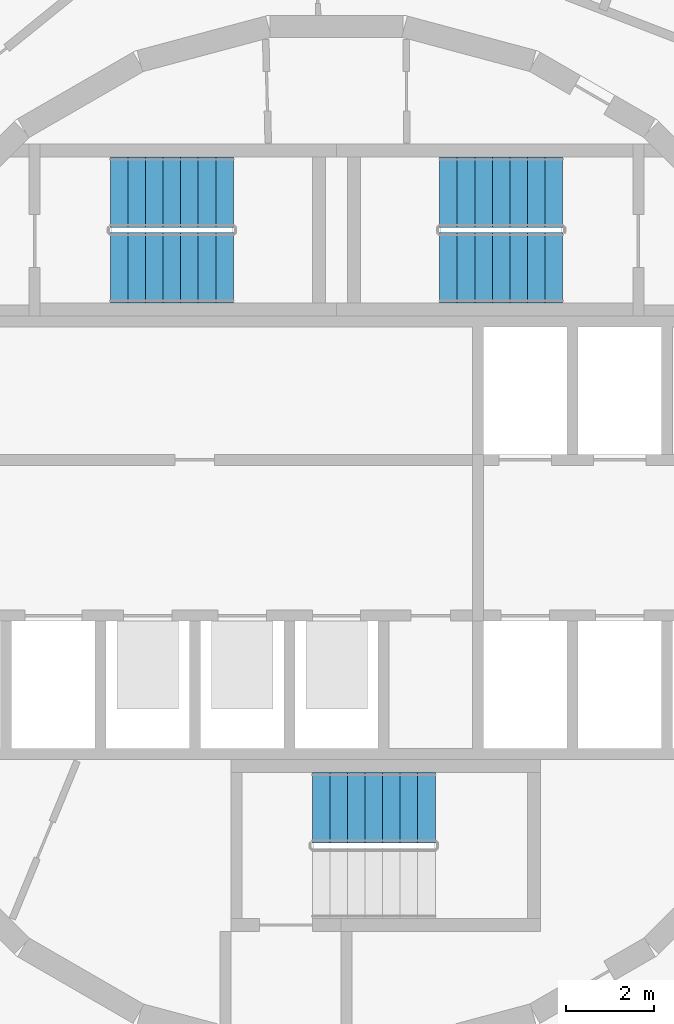
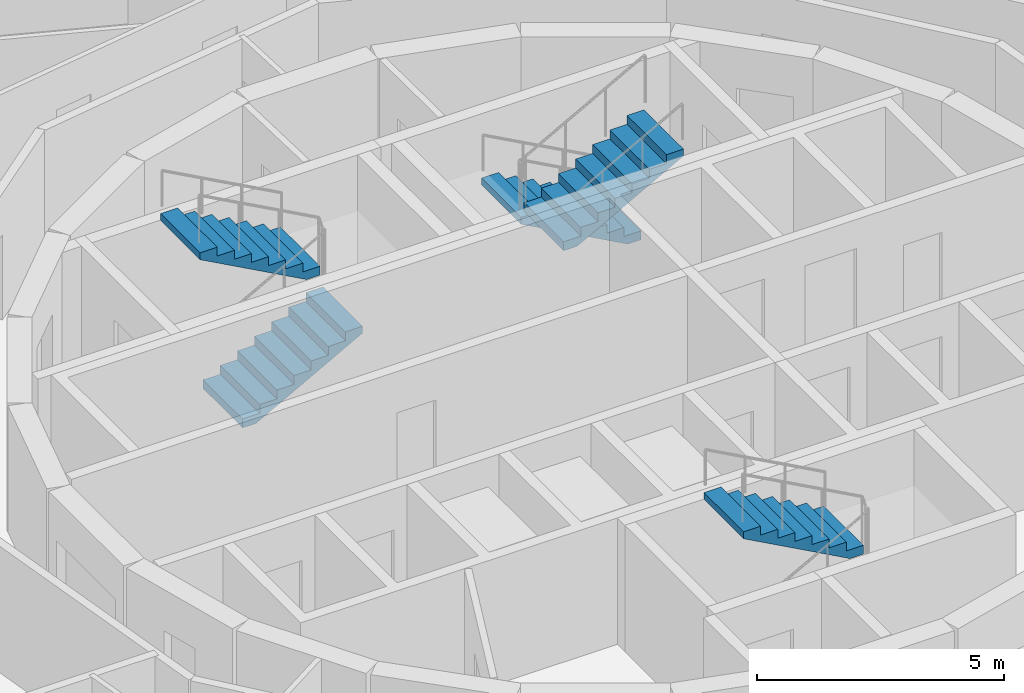
# One storey, part 17 of 19: 5 stair flights, 3 elements without a shape of their own.
"""IFC4 building model written with IfcOpenShell, lengths in metres."""

from ifc_helpers import new_model, si_unit, direction, frame, origin, place, context, subcontext, project, spatial, polyline, outline, extrude, material, type_object, element, aggregate, save


model = new_model("IFC4")

# Units and contexts
model_context = context("Model", 3, precision=1e-05, world=origin(), true_north=direction((0.0, 1.0)))
body_context = subcontext(model_context, "Body", "Model", "MODEL_VIEW")
ifc_project = project(units=[si_unit("LENGTHUNIT", "METRE"), si_unit("AREAUNIT", "SQUARE_METRE"), si_unit("VOLUMEUNIT", "CUBIC_METRE"), si_unit("PLANEANGLEUNIT", "RADIAN"), si_unit("MASSUNIT", "GRAM", prefix="KILO")], contexts=[model_context])

# Site, building, storey
site_placement = place(None, origin())
site = spatial("IfcSite", under=ifc_project, at=site_placement, CompositionType="ELEMENT")
building_placement = place(site_placement, origin())
building = spatial("IfcBuilding", under=site, at=building_placement, Name="Spindle Arch Residences", CompositionType="ELEMENT")
storey_placement = place(building_placement, frame((0.0, 0.0, 263.39990234375)))
storey = spatial("IfcBuildingStorey", under=building, at=storey_placement, Name="L67", CompositionType="ELEMENT", Elevation=263.39990234375)

# Stair, stair flights
ifc_material_1 = material(Name="Concrete C50/60", Category="concrete")
stair_type = type_object("IfcStairType", Name="Exit stair 16 risers", PredefinedType="HALF_TURN_STAIR", material=ifc_material_1)
stair_1_placement = place(storey_placement, origin())
stair_1 = element("IfcStair", 1, at=stair_1_placement, inside=storey, type_object=stair_type, Name="L67 Exit stair ST1", PredefinedType="HALF_TURN_STAIR")
ifc_material_2 = material(Name="Concrete C50/60", Category="concrete")
stair_flight_type = type_object("IfcStairFlightType", Name="Exit stair flight", PredefinedType="STRAIGHT", material=ifc_material_2)
stair_flight_1_placement = place(storey_placement, frame((5.14990234375, 7.8701171875, 0.0), z_axis=(0.0, 0.0, 1.0), x_axis=(-1.0, 0.0, 0.0)))
stair_flight_1 = element("IfcStairFlight", 2, at=stair_flight_1_placement, type_object=stair_flight_type, Name="ST1 flight 1", NumberOfRisers=8, NumberOfTreads=7, PredefinedType="STRAIGHT", RiserHeight=0.21875, TreadLength=0.4, context=body_context, shape_type="SweptSolid", body=[
    extrude(outline(polyline([(0.0, 0.0), (0.0, 0.21875), (0.39990234375, 0.21875), (0.39990234375, 0.4375), (0.800048828125, 0.4375), (0.800048828125, 0.65625), (1.199951171875, 0.65625), (1.199951171875, 0.875), (1.60009765625, 0.875), (1.60009765625, 1.09375), (2.0, 1.09375), (2.0, 1.3125), (2.39990234375, 1.3125), (2.39990234375, 1.53125), (2.800048828125, 1.53125), (2.800048828125, 1.75), (2.800048828125, 1.3603515625), (0.3125, 0.0), (0.0, 0.0)])), frame((0.0, 0.800048828125, 0.0), z_axis=(0.0, -1.0, 0.0), x_axis=(1.0, 0.0, 0.0)), (0.0, 0.0, 1.0), 1.60009765625),
])
stair_flight_2_placement = place(storey_placement, frame((2.35009765625, 6.14990234375, 1.75), z_axis=(0.0, 0.0, 1.0), x_axis=(1.0, 0.0, 0.0)))
stair_flight_2 = element("IfcStairFlight", 3, at=stair_flight_2_placement, type_object=stair_flight_type, Name="ST1 flight 2", NumberOfRisers=8, NumberOfTreads=7, PredefinedType="STRAIGHT", RiserHeight=0.21875, TreadLength=0.4, context=body_context, shape_type="SweptSolid", body=[
    extrude(outline(polyline([(0.0, 0.0), (0.0, 0.21875), (0.39990234375, 0.21875), (0.39990234375, 0.4375), (0.800048828125, 0.4375), (0.800048828125, 0.65625), (1.199951171875, 0.65625), (1.199951171875, 0.875), (1.60009765625, 0.875), (1.60009765625, 1.09375), (2.0, 1.09375), (2.0, 1.3125), (2.39990234375, 1.3125), (2.39990234375, 1.53125), (2.800048828125, 1.53125), (2.800048828125, 1.75), (2.800048828125, 1.3603515625), (0.3125, 0.0), (0.0, 0.0)])), frame((0.0, 0.800048828125, 0.0), z_axis=(0.0, -1.0, 0.0), x_axis=(1.0, 0.0, 0.0)), (0.0, 0.0, 1.0), 1.60009765625),
])
aggregate(stair_1, [stair_flight_1, stair_flight_2])

stair_2_placement = place(storey_placement, origin())
stair_2 = element("IfcStair", 4, at=stair_2_placement, inside=storey, type_object=stair_type, Name="L67 Exit stair ST2", PredefinedType="HALF_TURN_STAIR")
stair_flight_3_placement = place(storey_placement, frame((-5.14990234375, 6.14990234375, 0.0), z_axis=(0.0, 0.0, 1.0), x_axis=(1.0, 0.0, 0.0)))
stair_flight_3 = element("IfcStairFlight", 5, at=stair_flight_3_placement, type_object=stair_flight_type, Name="ST2 flight 1", NumberOfRisers=8, NumberOfTreads=7, PredefinedType="STRAIGHT", RiserHeight=0.21875, TreadLength=0.4, context=body_context, shape_type="SweptSolid", body=[
    extrude(outline(polyline([(0.0, 0.0), (0.0, 0.21875), (0.39990234375, 0.21875), (0.39990234375, 0.4375), (0.800048828125, 0.4375), (0.800048828125, 0.65625), (1.199951171875, 0.65625), (1.199951171875, 0.875), (1.60009765625, 0.875), (1.60009765625, 1.09375), (2.0, 1.09375), (2.0, 1.3125), (2.39990234375, 1.3125), (2.39990234375, 1.53125), (2.800048828125, 1.53125), (2.800048828125, 1.75), (2.800048828125, 1.3603515625), (0.3125, 0.0), (0.0, 0.0)])), frame((0.0, 0.800048828125, 0.0), z_axis=(0.0, -1.0, 0.0), x_axis=(1.0, 0.0, 0.0)), (0.0, 0.0, 1.0), 1.60009765625),
])
stair_flight_4_placement = place(storey_placement, frame((-2.35009765625, 7.8701171875, 1.75), z_axis=(0.0, 0.0, 1.0), x_axis=(-1.0, 0.0, 0.0)))
stair_flight_4 = element("IfcStairFlight", 6, at=stair_flight_4_placement, type_object=stair_flight_type, Name="ST2 flight 2", NumberOfRisers=8, NumberOfTreads=7, PredefinedType="STRAIGHT", RiserHeight=0.21875, TreadLength=0.4, context=body_context, shape_type="SweptSolid", body=[
    extrude(outline(polyline([(0.0, 0.0), (0.0, 0.21875), (0.39990234375, 0.21875), (0.39990234375, 0.4375), (0.800048828125, 0.4375), (0.800048828125, 0.65625), (1.199951171875, 0.65625), (1.199951171875, 0.875), (1.60009765625, 0.875), (1.60009765625, 1.09375), (2.0, 1.09375), (2.0, 1.3125), (2.39990234375, 1.3125), (2.39990234375, 1.53125), (2.800048828125, 1.53125), (2.800048828125, 1.75), (2.800048828125, 1.3603515625), (0.3125, 0.0), (0.0, 0.0)])), frame((0.0, 0.800048828125, 0.0), z_axis=(0.0, -1.0, 0.0), x_axis=(1.0, 0.0, 0.0)), (0.0, 0.0, 1.0), 1.60009765625),
])
aggregate(stair_2, [stair_flight_3, stair_flight_4])

# Stair, stair flight
stair_3_placement = place(storey_placement, origin())
stair_3 = element("IfcStair", 7, at=stair_3_placement, inside=storey, type_object=stair_type, Name="L67 Exit stair ST3", PredefinedType="HALF_TURN_STAIR")
stair_flight_5_placement = place(storey_placement, frame((2.25, -6.14990234375, 1.75), z_axis=(0.0, 0.0, 1.0), x_axis=(-1.0, 0.0, 0.0)))
stair_flight_5 = element("IfcStairFlight", 8, at=stair_flight_5_placement, type_object=stair_flight_type, Name="ST3 flight 2", NumberOfRisers=8, NumberOfTreads=7, PredefinedType="STRAIGHT", RiserHeight=0.21875, TreadLength=0.4, context=body_context, shape_type="SweptSolid", body=[
    extrude(outline(polyline([(0.0, 0.0), (0.0, 0.21875), (0.39990234375, 0.21875), (0.39990234375, 0.4375), (0.800048828125, 0.4375), (0.800048828125, 0.65625), (1.199951171875, 0.65625), (1.199951171875, 0.875), (1.60009765625, 0.875), (1.60009765625, 1.09375), (2.0, 1.09375), (2.0, 1.3125), (2.39990234375, 1.3125), (2.39990234375, 1.53125), (2.800048828125, 1.53125), (2.800048828125, 1.75), (2.800048828125, 1.3603515625), (0.3125, 0.0), (0.0, 0.0)])), frame((0.0, 0.800048828125, 0.0), z_axis=(0.0, -1.0, 0.0), x_axis=(1.0, 0.0, 0.0)), (0.0, 0.0, 1.0), 1.60009765625),
])
aggregate(stair_3, [stair_flight_5])

save(model, "model.ifc")
